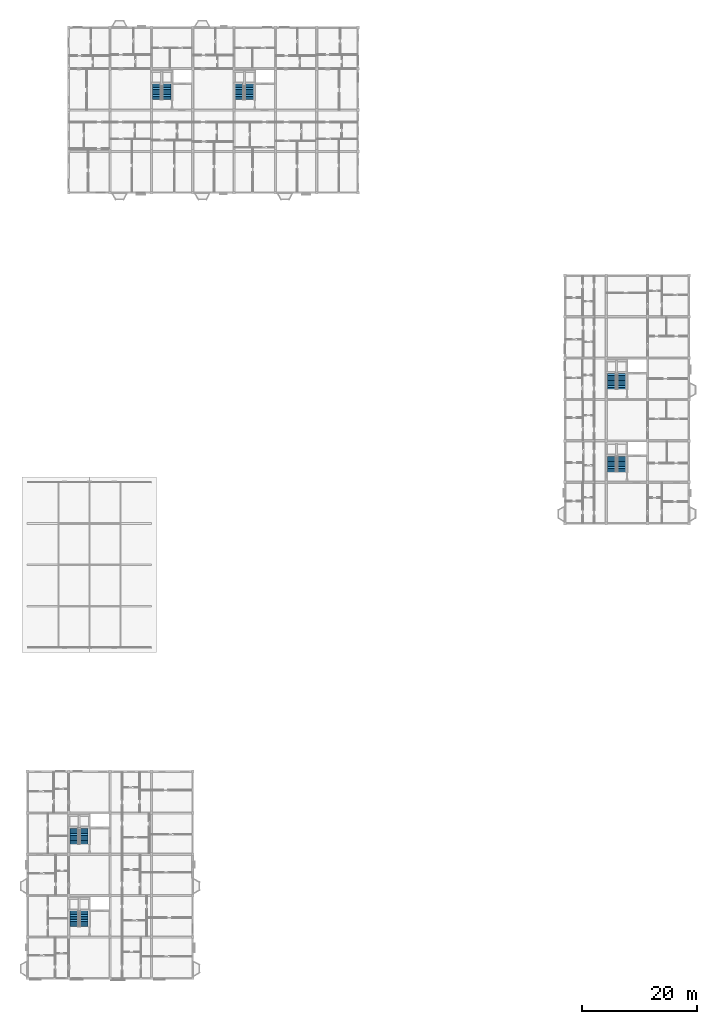
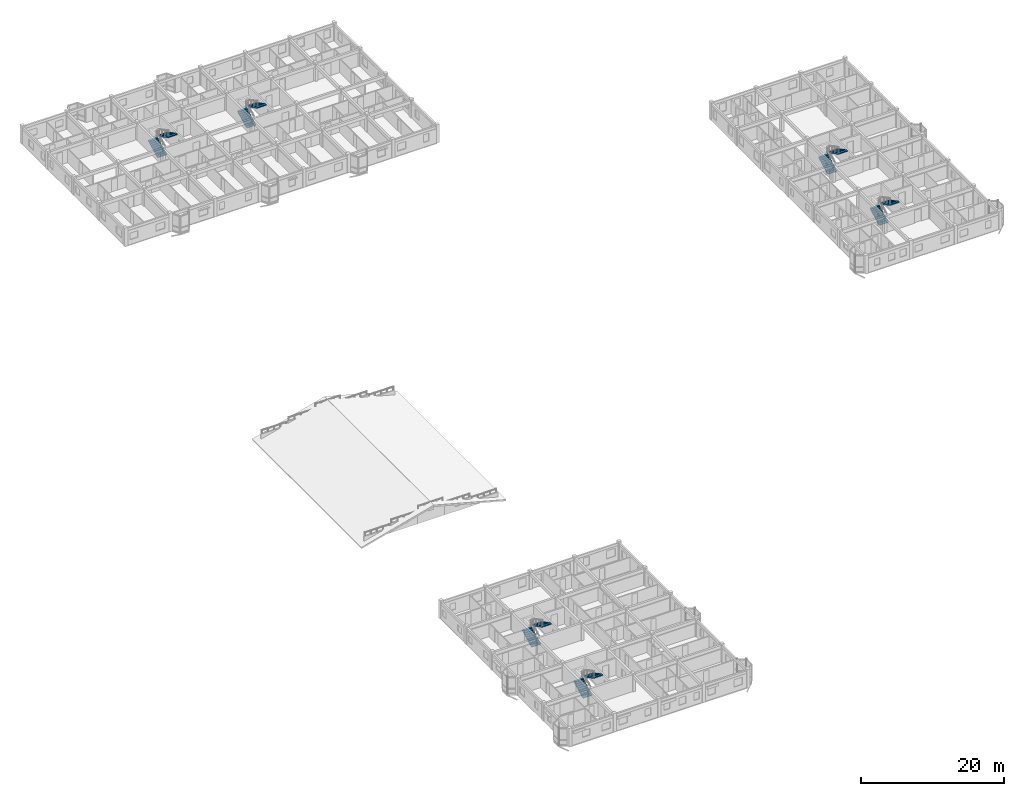
# One storey, part 61 of 65: 12 stair flights, 6 elements without a shape of their own.
"""IFC4 building model written with IfcOpenShell, lengths in metres."""

from ifc_helpers import new_model, si_unit, direction, frame, origin, place, context, subcontext, project, spatial, polyline, outline, extrude, material, type_object, element, aggregate, save


model = new_model("IFC4")

# Units and contexts
model_context = context("Model", 3, precision=1e-05, world=origin(), true_north=direction((0.0, 1.0)))
body_context = subcontext(model_context, "Body", "Model", "MODEL_VIEW")
ifc_project = project(units=[si_unit("LENGTHUNIT", "METRE"), si_unit("AREAUNIT", "SQUARE_METRE"), si_unit("VOLUMEUNIT", "CUBIC_METRE"), si_unit("PLANEANGLEUNIT", "RADIAN"), si_unit("MASSUNIT", "GRAM", prefix="KILO"), si_unit("THERMODYNAMICTEMPERATUREUNIT", "KELVIN"), si_unit("POWERUNIT", "WATT")], contexts=[model_context])

# Site, building, storey
site_placement = place(None, origin())
site = spatial("IfcSite", under=ifc_project, at=site_placement, CompositionType="ELEMENT")
building_placement = place(site_placement, origin())
building = spatial("IfcBuilding", under=site, at=building_placement, Name="Tavuni Mirador Residences", CompositionType="ELEMENT")
storey_placement = place(building_placement, frame((0.0, 0.0, 29.699951171875)))
storey = spatial("IfcBuildingStorey", under=building, at=storey_placement, Name="L09", CompositionType="ELEMENT", Elevation=29.699951171875)

# Stair, stair flights
ifc_material = material(Name="Precast concrete C40/50", Category="concrete")
stair_type = type_object("IfcStairType", Name="STT-TYP", PredefinedType="HALF_TURN_STAIR", material=ifc_material)
stair_1_placement = place(storey_placement, origin())
stair_1 = element("IfcStair", 1, at=stair_1_placement, inside=storey, type_object=stair_type, Name="Protected exit stair ST1 (L09)", PredefinedType="HALF_TURN_STAIR")
stair_flight_type = type_object("IfcStairFlightType", Name="SFT-1500", PredefinedType="STRAIGHT", material=ifc_material)
stair_flight_1_placement = place(storey_placement, frame((11.75, 16.199951171875, 0.0), z_axis=(0.0, 0.0, 1.0), x_axis=(0.0, 1.0, 0.0)))
stair_flight_1 = element("IfcStairFlight", 2, at=stair_flight_1_placement, type_object=stair_flight_type, Name="ST1 flight 1", NumberOfRisers=10, NumberOfTreads=9, PredefinedType="STRAIGHT", RiserHeight=0.1575, TreadLength=0.3, context=body_context, shape_type="SweptSolid", body=[
    extrude(outline(polyline([(0.0, 0.0), (0.0, 0.157470703125), (0.300048828125, 0.157470703125), (0.300048828125, 0.31494140625), (0.60009765625, 0.31494140625), (0.60009765625, 0.472412109375), (0.89990234375, 0.472412109375), (0.89990234375, 0.6298828125), (1.199951171875, 0.6298828125), (1.199951171875, 0.78759765625), (1.5, 0.78759765625), (1.5, 0.945068359375), (1.800048828125, 0.945068359375), (1.800048828125, 1.1025390625), (2.10009765625, 1.1025390625), (2.10009765625, 1.260009765625), (2.39990234375, 1.260009765625), (2.39990234375, 1.41748046875), (2.699951171875, 1.41748046875), (2.699951171875, 1.574951171875), (2.699951171875, 1.23681640625), (0.343994140625, 0.0), (0.0, 0.0)])), frame((0.0, 0.75, 0.0), z_axis=(0.0, -1.0, 0.0), x_axis=(1.0, 0.0, 0.0)), (0.0, 0.0, 1.0), 1.5),
])
stair_flight_2_placement = place(storey_placement, frame((13.449951171875, 18.89990234375, 1.574951171875), z_axis=(0.0, 0.0, 1.0), x_axis=(0.0, -1.0, 0.0)))
stair_flight_2 = element("IfcStairFlight", 3, at=stair_flight_2_placement, type_object=stair_flight_type, Name="ST1 flight 2", NumberOfRisers=10, NumberOfTreads=9, PredefinedType="STRAIGHT", RiserHeight=0.1575, TreadLength=0.3, context=body_context, shape_type="SweptSolid", body=[
    extrude(outline(polyline([(0.0, 0.0), (0.0, 0.157470703125), (0.300048828125, 0.157470703125), (0.300048828125, 0.31494140625), (0.60009765625, 0.31494140625), (0.60009765625, 0.472412109375), (0.89990234375, 0.472412109375), (0.89990234375, 0.6298828125), (1.199951171875, 0.6298828125), (1.199951171875, 0.78759765625), (1.5, 0.78759765625), (1.5, 0.945068359375), (1.800048828125, 0.945068359375), (1.800048828125, 1.1025390625), (2.10009765625, 1.1025390625), (2.10009765625, 1.260009765625), (2.39990234375, 1.260009765625), (2.39990234375, 1.41748046875), (2.699951171875, 1.41748046875), (2.699951171875, 1.574951171875), (2.699951171875, 1.23681640625), (0.343994140625, 0.0), (0.0, 0.0)])), frame((0.0, 0.75, 0.0), z_axis=(0.0, -1.0, 0.0), x_axis=(1.0, 0.0, 0.0)), (0.0, 0.0, 1.0), 1.5),
])
aggregate(stair_1, [stair_flight_1, stair_flight_2])

stair_2_placement = place(storey_placement, origin())
stair_2 = element("IfcStair", 4, at=stair_2_placement, inside=storey, type_object=stair_type, Name="Protected exit stair ST2 (L09)", PredefinedType="HALF_TURN_STAIR")
stair_flight_3_placement = place(storey_placement, frame((11.75, 30.60009765625, 0.0), z_axis=(0.0, 0.0, 1.0), x_axis=(0.0, 1.0, 0.0)))
stair_flight_3 = element("IfcStairFlight", 5, at=stair_flight_3_placement, type_object=stair_flight_type, Name="ST2 flight 1", NumberOfRisers=10, NumberOfTreads=9, PredefinedType="STRAIGHT", RiserHeight=0.1575, TreadLength=0.3, context=body_context, shape_type="SweptSolid", body=[
    extrude(outline(polyline([(0.0, 0.0), (0.0, 0.157470703125), (0.300048828125, 0.157470703125), (0.300048828125, 0.31494140625), (0.60009765625, 0.31494140625), (0.60009765625, 0.472412109375), (0.89990234375, 0.472412109375), (0.89990234375, 0.6298828125), (1.199951171875, 0.6298828125), (1.199951171875, 0.78759765625), (1.5, 0.78759765625), (1.5, 0.945068359375), (1.800048828125, 0.945068359375), (1.800048828125, 1.1025390625), (2.10009765625, 1.1025390625), (2.10009765625, 1.260009765625), (2.39990234375, 1.260009765625), (2.39990234375, 1.41748046875), (2.699951171875, 1.41748046875), (2.699951171875, 1.574951171875), (2.699951171875, 1.23681640625), (0.343994140625, 0.0), (0.0, 0.0)])), frame((0.0, 0.75, 0.0), z_axis=(0.0, -1.0, 0.0), x_axis=(1.0, 0.0, 0.0)), (0.0, 0.0, 1.0), 1.5),
])
stair_flight_4_placement = place(storey_placement, frame((13.449951171875, 33.300048828125, 1.574951171875), z_axis=(0.0, 0.0, 1.0), x_axis=(0.0, -1.0, 0.0)))
stair_flight_4 = element("IfcStairFlight", 6, at=stair_flight_4_placement, type_object=stair_flight_type, Name="ST2 flight 2", NumberOfRisers=10, NumberOfTreads=9, PredefinedType="STRAIGHT", RiserHeight=0.1575, TreadLength=0.3, context=body_context, shape_type="SweptSolid", body=[
    extrude(outline(polyline([(0.0, 0.0), (0.0, 0.157470703125), (0.300048828125, 0.157470703125), (0.300048828125, 0.31494140625), (0.60009765625, 0.31494140625), (0.60009765625, 0.472412109375), (0.89990234375, 0.472412109375), (0.89990234375, 0.6298828125), (1.199951171875, 0.6298828125), (1.199951171875, 0.78759765625), (1.5, 0.78759765625), (1.5, 0.945068359375), (1.800048828125, 0.945068359375), (1.800048828125, 1.1025390625), (2.10009765625, 1.1025390625), (2.10009765625, 1.260009765625), (2.39990234375, 1.260009765625), (2.39990234375, 1.41748046875), (2.699951171875, 1.41748046875), (2.699951171875, 1.574951171875), (2.699951171875, 1.23681640625), (0.343994140625, 0.0), (0.0, 0.0)])), frame((0.0, 0.75, 0.0), z_axis=(0.0, -1.0, 0.0), x_axis=(1.0, 0.0, 0.0)), (0.0, 0.0, 1.0), 1.5),
])
aggregate(stair_2, [stair_flight_3, stair_flight_4])

stair_3_placement = place(storey_placement, origin())
stair_3 = element("IfcStair", 7, at=stair_3_placement, inside=storey, type_object=stair_type, Name="Protected exit stair ST5 (L09)", PredefinedType="HALF_TURN_STAIR")
stair_flight_5_placement = place(storey_placement, frame((26.14990234375, 160.199951171875, 0.0), z_axis=(0.0, 0.0, 1.0), x_axis=(0.0, 1.0, 0.0)))
stair_flight_5 = element("IfcStairFlight", 8, at=stair_flight_5_placement, type_object=stair_flight_type, Name="ST5 flight 1", NumberOfRisers=10, NumberOfTreads=9, PredefinedType="STRAIGHT", RiserHeight=0.1575, TreadLength=0.3, context=body_context, shape_type="SweptSolid", body=[
    extrude(outline(polyline([(0.0, 0.0), (0.0, 0.157470703125), (0.300048828125, 0.157470703125), (0.300048828125, 0.31494140625), (0.60009765625, 0.31494140625), (0.60009765625, 0.472412109375), (0.89990234375, 0.472412109375), (0.89990234375, 0.6298828125), (1.199951171875, 0.6298828125), (1.199951171875, 0.78759765625), (1.5, 0.78759765625), (1.5, 0.945068359375), (1.800048828125, 0.945068359375), (1.800048828125, 1.1025390625), (2.10009765625, 1.1025390625), (2.10009765625, 1.260009765625), (2.39990234375, 1.260009765625), (2.39990234375, 1.41748046875), (2.699951171875, 1.41748046875), (2.699951171875, 1.574951171875), (2.699951171875, 1.23681640625), (0.343994140625, 0.0), (0.0, 0.0)])), frame((0.0, 0.75, 0.0), z_axis=(0.0, -1.0, 0.0), x_axis=(1.0, 0.0, 0.0)), (0.0, 0.0, 1.0), 1.5),
])
stair_flight_6_placement = place(storey_placement, frame((27.85009765625, 162.89990234375, 1.574951171875), z_axis=(0.0, 0.0, 1.0), x_axis=(0.0, -1.0, 0.0)))
stair_flight_6 = element("IfcStairFlight", 9, at=stair_flight_6_placement, type_object=stair_flight_type, Name="ST5 flight 2", NumberOfRisers=10, NumberOfTreads=9, PredefinedType="STRAIGHT", RiserHeight=0.1575, TreadLength=0.3, context=body_context, shape_type="SweptSolid", body=[
    extrude(outline(polyline([(0.0, 0.0), (0.0, 0.157470703125), (0.300048828125, 0.157470703125), (0.300048828125, 0.31494140625), (0.60009765625, 0.31494140625), (0.60009765625, 0.472412109375), (0.89990234375, 0.472412109375), (0.89990234375, 0.6298828125), (1.199951171875, 0.6298828125), (1.199951171875, 0.78759765625), (1.5, 0.78759765625), (1.5, 0.945068359375), (1.800048828125, 0.945068359375), (1.800048828125, 1.1025390625), (2.10009765625, 1.1025390625), (2.10009765625, 1.260009765625), (2.39990234375, 1.260009765625), (2.39990234375, 1.41748046875), (2.699951171875, 1.41748046875), (2.699951171875, 1.574951171875), (2.699951171875, 1.23681640625), (0.343994140625, 0.0), (0.0, 0.0)])), frame((0.0, 0.75, 0.0), z_axis=(0.0, -1.0, 0.0), x_axis=(1.0, 0.0, 0.0)), (0.0, 0.0, 1.0), 1.5),
])
aggregate(stair_3, [stair_flight_5, stair_flight_6])

stair_4_placement = place(storey_placement, origin())
stair_4 = element("IfcStair", 10, at=stair_4_placement, inside=storey, type_object=stair_type, Name="Protected exit stair ST6 (L09)", PredefinedType="HALF_TURN_STAIR")
stair_flight_7_placement = place(storey_placement, frame((40.550048828125, 160.199951171875, 0.0), z_axis=(0.0, 0.0, 1.0), x_axis=(0.0, 1.0, 0.0)))
stair_flight_7 = element("IfcStairFlight", 11, at=stair_flight_7_placement, type_object=stair_flight_type, Name="ST6 flight 1", NumberOfRisers=10, NumberOfTreads=9, PredefinedType="STRAIGHT", RiserHeight=0.1575, TreadLength=0.3, context=body_context, shape_type="SweptSolid", body=[
    extrude(outline(polyline([(0.0, 0.0), (0.0, 0.157470703125), (0.300048828125, 0.157470703125), (0.300048828125, 0.31494140625), (0.60009765625, 0.31494140625), (0.60009765625, 0.472412109375), (0.89990234375, 0.472412109375), (0.89990234375, 0.6298828125), (1.199951171875, 0.6298828125), (1.199951171875, 0.78759765625), (1.5, 0.78759765625), (1.5, 0.945068359375), (1.800048828125, 0.945068359375), (1.800048828125, 1.1025390625), (2.10009765625, 1.1025390625), (2.10009765625, 1.260009765625), (2.39990234375, 1.260009765625), (2.39990234375, 1.41748046875), (2.699951171875, 1.41748046875), (2.699951171875, 1.574951171875), (2.699951171875, 1.23681640625), (0.343994140625, 0.0), (0.0, 0.0)])), frame((0.0, 0.75, 0.0), z_axis=(0.0, -1.0, 0.0), x_axis=(1.0, 0.0, 0.0)), (0.0, 0.0, 1.0), 1.5),
])
stair_flight_8_placement = place(storey_placement, frame((42.25, 162.89990234375, 1.574951171875), z_axis=(0.0, 0.0, 1.0), x_axis=(0.0, -1.0, 0.0)))
stair_flight_8 = element("IfcStairFlight", 12, at=stair_flight_8_placement, type_object=stair_flight_type, Name="ST6 flight 2", NumberOfRisers=10, NumberOfTreads=9, PredefinedType="STRAIGHT", RiserHeight=0.1575, TreadLength=0.3, context=body_context, shape_type="SweptSolid", body=[
    extrude(outline(polyline([(0.0, 0.0), (0.0, 0.157470703125), (0.300048828125, 0.157470703125), (0.300048828125, 0.31494140625), (0.60009765625, 0.31494140625), (0.60009765625, 0.472412109375), (0.89990234375, 0.472412109375), (0.89990234375, 0.6298828125), (1.199951171875, 0.6298828125), (1.199951171875, 0.78759765625), (1.5, 0.78759765625), (1.5, 0.945068359375), (1.800048828125, 0.945068359375), (1.800048828125, 1.1025390625), (2.10009765625, 1.1025390625), (2.10009765625, 1.260009765625), (2.39990234375, 1.260009765625), (2.39990234375, 1.41748046875), (2.699951171875, 1.41748046875), (2.699951171875, 1.574951171875), (2.699951171875, 1.23681640625), (0.343994140625, 0.0), (0.0, 0.0)])), frame((0.0, 0.75, 0.0), z_axis=(0.0, -1.0, 0.0), x_axis=(1.0, 0.0, 0.0)), (0.0, 0.0, 1.0), 1.5),
])
aggregate(stair_4, [stair_flight_7, stair_flight_8])

stair_5_placement = place(storey_placement, origin())
stair_5 = element("IfcStair", 13, at=stair_5_placement, inside=storey, type_object=stair_type, Name="Protected exit stair ST7 (L09)", PredefinedType="HALF_TURN_STAIR")
stair_flight_9_placement = place(storey_placement, frame((105.35009765625, 95.39990234375, 0.0), z_axis=(0.0, 0.0, 1.0), x_axis=(0.0, 1.0, 0.0)))
stair_flight_9 = element("IfcStairFlight", 14, at=stair_flight_9_placement, type_object=stair_flight_type, Name="ST7 flight 1", NumberOfRisers=10, NumberOfTreads=9, PredefinedType="STRAIGHT", RiserHeight=0.1575, TreadLength=0.3, context=body_context, shape_type="SweptSolid", body=[
    extrude(outline(polyline([(0.0, 0.0), (0.0, 0.157470703125), (0.300048828125, 0.157470703125), (0.300048828125, 0.31494140625), (0.60009765625, 0.31494140625), (0.60009765625, 0.472412109375), (0.89990234375, 0.472412109375), (0.89990234375, 0.6298828125), (1.199951171875, 0.6298828125), (1.199951171875, 0.78759765625), (1.5, 0.78759765625), (1.5, 0.945068359375), (1.800048828125, 0.945068359375), (1.800048828125, 1.1025390625), (2.10009765625, 1.1025390625), (2.10009765625, 1.260009765625), (2.39990234375, 1.260009765625), (2.39990234375, 1.41748046875), (2.699951171875, 1.41748046875), (2.699951171875, 1.574951171875), (2.699951171875, 1.23681640625), (0.343994140625, 0.0), (0.0, 0.0)])), frame((0.0, 0.75, 0.0), z_axis=(0.0, -1.0, 0.0), x_axis=(1.0, 0.0, 0.0)), (0.0, 0.0, 1.0), 1.5),
])
stair_flight_10_placement = place(storey_placement, frame((107.050048828125, 98.10009765625, 1.574951171875), z_axis=(0.0, 0.0, 1.0), x_axis=(0.0, -1.0, 0.0)))
stair_flight_10 = element("IfcStairFlight", 15, at=stair_flight_10_placement, type_object=stair_flight_type, Name="ST7 flight 2", NumberOfRisers=10, NumberOfTreads=9, PredefinedType="STRAIGHT", RiserHeight=0.1575, TreadLength=0.3, context=body_context, shape_type="SweptSolid", body=[
    extrude(outline(polyline([(0.0, 0.0), (0.0, 0.157470703125), (0.300048828125, 0.157470703125), (0.300048828125, 0.31494140625), (0.60009765625, 0.31494140625), (0.60009765625, 0.472412109375), (0.89990234375, 0.472412109375), (0.89990234375, 0.6298828125), (1.199951171875, 0.6298828125), (1.199951171875, 0.78759765625), (1.5, 0.78759765625), (1.5, 0.945068359375), (1.800048828125, 0.945068359375), (1.800048828125, 1.1025390625), (2.10009765625, 1.1025390625), (2.10009765625, 1.260009765625), (2.39990234375, 1.260009765625), (2.39990234375, 1.41748046875), (2.699951171875, 1.41748046875), (2.699951171875, 1.574951171875), (2.699951171875, 1.23681640625), (0.343994140625, 0.0), (0.0, 0.0)])), frame((0.0, 0.75, 0.0), z_axis=(0.0, -1.0, 0.0), x_axis=(1.0, 0.0, 0.0)), (0.0, 0.0, 1.0), 1.5),
])
aggregate(stair_5, [stair_flight_9, stair_flight_10])

stair_6_placement = place(storey_placement, origin())
stair_6 = element("IfcStair", 16, at=stair_6_placement, inside=storey, type_object=stair_type, Name="Protected exit stair ST8 (L09)", PredefinedType="HALF_TURN_STAIR")
stair_flight_11_placement = place(storey_placement, frame((105.35009765625, 109.800048828125, 0.0), z_axis=(0.0, 0.0, 1.0), x_axis=(0.0, 1.0, 0.0)))
stair_flight_11 = element("IfcStairFlight", 17, at=stair_flight_11_placement, type_object=stair_flight_type, Name="ST8 flight 1", NumberOfRisers=10, NumberOfTreads=9, PredefinedType="STRAIGHT", RiserHeight=0.1575, TreadLength=0.3, context=body_context, shape_type="SweptSolid", body=[
    extrude(outline(polyline([(0.0, 0.0), (0.0, 0.157470703125), (0.300048828125, 0.157470703125), (0.300048828125, 0.31494140625), (0.60009765625, 0.31494140625), (0.60009765625, 0.472412109375), (0.89990234375, 0.472412109375), (0.89990234375, 0.6298828125), (1.199951171875, 0.6298828125), (1.199951171875, 0.78759765625), (1.5, 0.78759765625), (1.5, 0.945068359375), (1.800048828125, 0.945068359375), (1.800048828125, 1.1025390625), (2.10009765625, 1.1025390625), (2.10009765625, 1.260009765625), (2.39990234375, 1.260009765625), (2.39990234375, 1.41748046875), (2.699951171875, 1.41748046875), (2.699951171875, 1.574951171875), (2.699951171875, 1.23681640625), (0.343994140625, 0.0), (0.0, 0.0)])), frame((0.0, 0.75, 0.0), z_axis=(0.0, -1.0, 0.0), x_axis=(1.0, 0.0, 0.0)), (0.0, 0.0, 1.0), 1.5),
])
stair_flight_12_placement = place(storey_placement, frame((107.050048828125, 112.5, 1.574951171875), z_axis=(0.0, 0.0, 1.0), x_axis=(0.0, -1.0, 0.0)))
stair_flight_12 = element("IfcStairFlight", 18, at=stair_flight_12_placement, type_object=stair_flight_type, Name="ST8 flight 2", NumberOfRisers=10, NumberOfTreads=9, PredefinedType="STRAIGHT", RiserHeight=0.1575, TreadLength=0.3, context=body_context, shape_type="SweptSolid", body=[
    extrude(outline(polyline([(0.0, 0.0), (0.0, 0.157470703125), (0.300048828125, 0.157470703125), (0.300048828125, 0.31494140625), (0.60009765625, 0.31494140625), (0.60009765625, 0.472412109375), (0.89990234375, 0.472412109375), (0.89990234375, 0.6298828125), (1.199951171875, 0.6298828125), (1.199951171875, 0.78759765625), (1.5, 0.78759765625), (1.5, 0.945068359375), (1.800048828125, 0.945068359375), (1.800048828125, 1.1025390625), (2.10009765625, 1.1025390625), (2.10009765625, 1.260009765625), (2.39990234375, 1.260009765625), (2.39990234375, 1.41748046875), (2.699951171875, 1.41748046875), (2.699951171875, 1.574951171875), (2.699951171875, 1.23681640625), (0.343994140625, 0.0), (0.0, 0.0)])), frame((0.0, 0.75, 0.0), z_axis=(0.0, -1.0, 0.0), x_axis=(1.0, 0.0, 0.0)), (0.0, 0.0, 1.0), 1.5),
])
aggregate(stair_6, [stair_flight_11, stair_flight_12])

save(model, "model.ifc")
